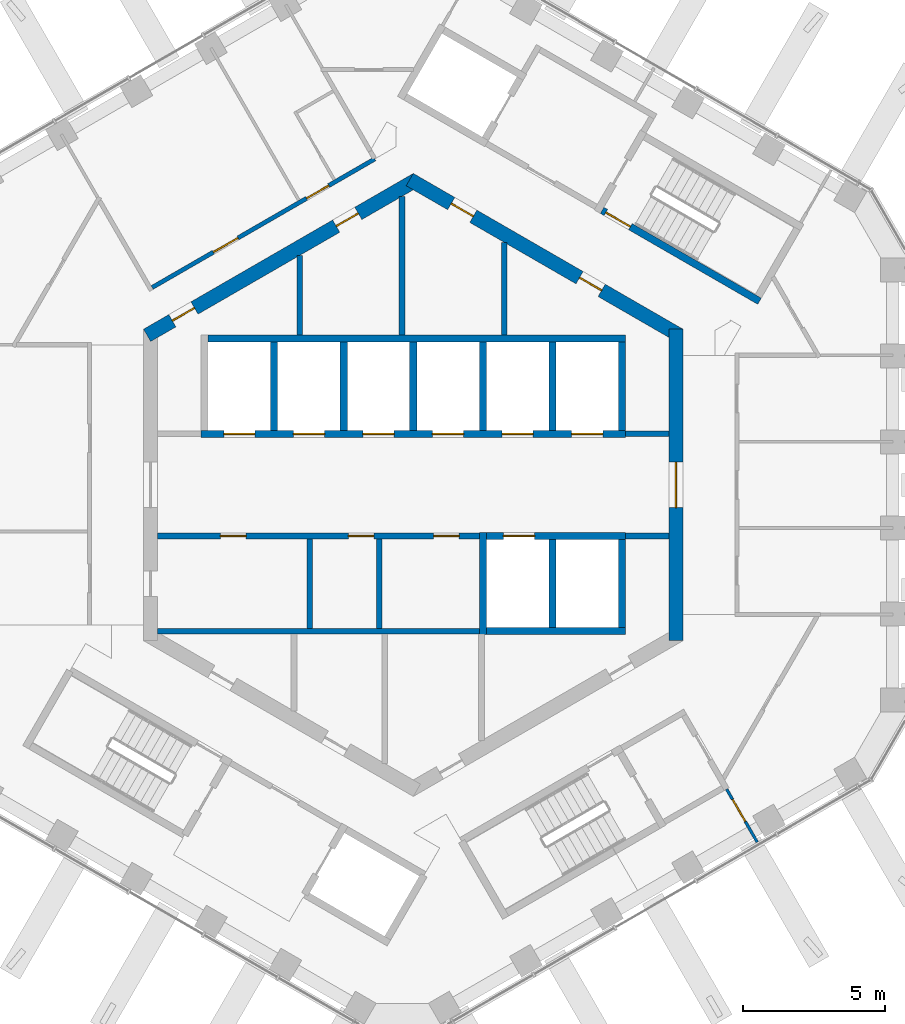
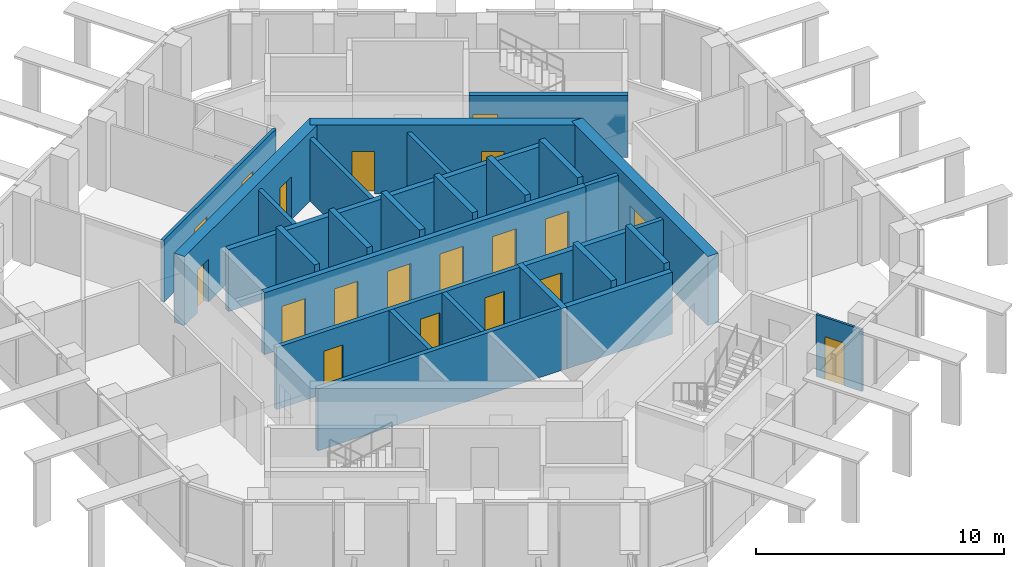
# One storey, part 12 of 18: 28 walls, 19 doors, 19 openings.
"""IFC4 building model written with IfcOpenShell, lengths in metres."""

from ifc_helpers import new_model, si_unit, direction, frame, frame_2d, origin, place, context, subcontext, project, spatial, rectangle, extrude, material, layer, layer_set, type_object, element, fill, save


model = new_model("IFC4")

# Units and contexts
model_context = context("Model", 3, precision=1e-05, world=origin(), true_north=direction((0.0, 1.0)))
body_context = subcontext(model_context, "Body", "Model", "MODEL_VIEW")
ifc_project = project(units=[si_unit("LENGTHUNIT", "METRE"), si_unit("AREAUNIT", "SQUARE_METRE"), si_unit("VOLUMEUNIT", "CUBIC_METRE"), si_unit("PLANEANGLEUNIT", "RADIAN"), si_unit("MASSUNIT", "GRAM", prefix="KILO")], contexts=[model_context])

# Site, building, storey
site_placement = place(None, origin())
site = spatial("IfcSite", under=ifc_project, at=site_placement, CompositionType="ELEMENT")
building_placement = place(site_placement, origin())
building = spatial("IfcBuilding", under=site, at=building_placement, Name="Ayvan Gate Tower", CompositionType="ELEMENT")
storey_placement = place(building_placement, frame((0.0, 0.0, 239.300048828125)))
storey = spatial("IfcBuildingStorey", under=building, at=storey_placement, Name="L64", CompositionType="ELEMENT", Elevation=239.300048828125)

# Wall, opening, door
ifc_material_1 = material(Name="Concrete C60/75", Category="concrete")
ifc_layer_1 = layer(ifc_material_1, 0.5)
ifc_layer_set_1 = layer_set([ifc_layer_1], Name="Concrete C60/75")
wall_type_1 = type_object("IfcWallType", Name="Core wall 500 C60/75", PredefinedType="SHEAR", material=ifc_layer_set_1)
wall_1_placement = place(storey_placement, frame((9.25, -5.48486328125, 0.0), z_axis=(0.0, 0.0, 1.0), x_axis=(0.0, 1.0, 0.0)))
wall_1 = element("IfcWall", 1, at=wall_1_placement, inside=storey, type_object=wall_type_1, Name="CORE-L64-0", PredefinedType="SHEAR", context=body_context, shape_type="SweptSolid", body=[
    extrude(rectangle(XDim=10.9697265625, YDim=0.5, at=frame_2d((5.48486328125, 0.0))), origin(), (0.0, 0.0, 1.0), 3.39990234375),
])
opening_1_placement = place(wall_1_placement, frame((4.684814453125, 0.0, 0.0)))
opening_1 = element("IfcOpeningElement", 2, at=opening_1_placement, cuts=wall_1, Name="Opening L64-D46", PredefinedType="OPENING", context=body_context, shape_type="SweptSolid", body=[
    extrude(rectangle(XDim=1.60009765625, YDim=2.10009765625, at=frame_2d((0.800048828125, 1.050048828125))), frame((0.0, 0.260009765625, 0.0), z_axis=(0.0, -1.0, 0.0), x_axis=(1.0, 0.0, 0.0)), (0.0, 0.0, 1.0), 0.52001953125),
])
ifc_material_2 = material(Name="Timber door leaf", Category="wood")
door_type_1 = type_object("IfcDoorType", Name="DT-1600", OperationType="NOTDEFINED", PredefinedType="DOOR", material=ifc_material_2)
door_1_placement = place(opening_1_placement, origin())
door_1 = element("IfcDoor", 3, at=door_1_placement, inside=storey, type_object=door_type_1, Name="CD-L64-46", OperationType="SINGLE_SWING_RIGHT", OverallHeight=2.10009765625, OverallWidth=1.60009765625, PredefinedType="DOOR", context=body_context, shape_type="SweptSolid", body=[
    extrude(rectangle(XDim=1.60009765625, YDim=2.10009765625, at=frame_2d((0.800048828125, 1.050048828125))), frame((0.0, 0.02490234375, 0.0), z_axis=(0.0, -1.0, 0.0), x_axis=(1.0, 0.0, 0.0)), (0.0, 0.0, 1.0), 0.050048828125),
])
fill(opening_1, door_1)

# Wall, openings, doors
wall_2_placement = place(storey_placement, frame((9.375, 5.268310546875, 0.0), z_axis=(0.0, 0.0, 1.0), x_axis=(-0.866023993627, 0.500002442456, 0.0)))
wall_2 = element("IfcWall", 4, at=wall_2_placement, inside=storey, type_object=wall_type_1, Name="CORE-L64-1", PredefinedType="SHEAR", context=body_context, shape_type="SweptSolid", body=[
    extrude(rectangle(XDim=10.9697265625, YDim=0.5, at=frame_2d((5.48486328125, 0.0))), origin(), (0.0, 0.0, 1.0), 3.39990234375),
])
opening_2_placement = place(wall_2_placement, frame((8.3828125, 0.0, 0.0)))
opening_2 = element("IfcOpeningElement", 5, at=opening_2_placement, cuts=wall_2, Name="Opening L64-D39", PredefinedType="OPENING", context=body_context, shape_type="SweptSolid", body=[
    extrude(rectangle(XDim=0.89990234375, YDim=2.10009765625, at=frame_2d((0.449951171875, 1.050048828125))), frame((0.0, 0.260009765625, 0.0), z_axis=(0.0, -1.0, 0.0), x_axis=(1.0, 0.0, 0.0)), (0.0, 0.0, 1.0), 0.52001953125),
])
opening_3_placement = place(wall_2_placement, frame((3.164794921875, 0.0, 0.0)))
opening_3 = element("IfcOpeningElement", 6, at=opening_3_placement, cuts=wall_2, Name="Opening L64-D40", PredefinedType="OPENING", context=body_context, shape_type="SweptSolid", body=[
    extrude(rectangle(XDim=0.89990234375, YDim=2.10009765625, at=frame_2d((0.449951171875, 1.050048828125))), frame((0.0, 0.260009765625, 0.0), z_axis=(0.0, -1.0, 0.0), x_axis=(1.0, 0.0, 0.0)), (0.0, 0.0, 1.0), 0.52001953125),
])
door_type_2 = type_object("IfcDoorType", Name="DT-900", OperationType="NOTDEFINED", PredefinedType="DOOR", material=ifc_material_2)
door_2_placement = place(opening_2_placement, origin())
door_2 = element("IfcDoor", 7, at=door_2_placement, inside=storey, type_object=door_type_2, Name="CD-L64-39", OperationType="SINGLE_SWING_LEFT", OverallHeight=2.10009765625, OverallWidth=0.89990234375, PredefinedType="DOOR", context=body_context, shape_type="SweptSolid", body=[
    extrude(rectangle(XDim=0.89990234375, YDim=2.10009765625, at=frame_2d((0.449951171875, 1.050048828125))), frame((0.0, 0.02490234375, 0.0), z_axis=(0.0, -1.0, 0.0), x_axis=(1.0, 0.0, 0.0)), (0.0, 0.0, 1.0), 0.050048828125),
])
fill(opening_2, door_2)
door_3_placement = place(opening_3_placement, origin())
door_3 = element("IfcDoor", 8, at=door_3_placement, inside=storey, type_object=door_type_2, Name="CD-L64-40", OperationType="SINGLE_SWING_RIGHT", OverallHeight=2.10009765625, OverallWidth=0.89990234375, PredefinedType="DOOR", context=body_context, shape_type="SweptSolid", body=[
    extrude(rectangle(XDim=0.89990234375, YDim=2.10009765625, at=frame_2d((0.449951171875, 1.050048828125))), frame((0.0, 0.02490234375, 0.0), z_axis=(0.0, -1.0, 0.0), x_axis=(1.0, 0.0, 0.0)), (0.0, 0.0, 1.0), 0.050048828125),
])
fill(opening_3, door_3)

wall_3_placement = place(storey_placement, frame((0.125, 10.753173828125, 0.0), z_axis=(0.0, 0.0, 1.0), x_axis=(-0.866023993627, -0.500002442456, 0.0)))
wall_3 = element("IfcWall", 9, at=wall_3_placement, inside=storey, type_object=wall_type_1, Name="CORE-L64-2", PredefinedType="SHEAR", context=body_context, shape_type="SweptSolid", body=[
    extrude(rectangle(XDim=10.9697265625, YDim=0.5, at=frame_2d((5.48486328125, 0.0))), origin(), (0.0, 0.0, 1.0), 3.39990234375),
])
opening_4_placement = place(wall_3_placement, frame((9.042724609375, 0.0, 0.0)))
opening_4 = element("IfcOpeningElement", 10, at=opening_4_placement, cuts=wall_3, Name="Opening L64-D37", PredefinedType="OPENING", context=body_context, shape_type="SweptSolid", body=[
    extrude(rectangle(XDim=0.89990234375, YDim=2.10009765625, at=frame_2d((0.449951171875, 1.050048828125))), frame((0.0, 0.260009765625, 0.0), z_axis=(0.0, -1.0, 0.0), x_axis=(1.0, 0.0, 0.0)), (0.0, 0.0, 1.0), 0.52001953125),
])
opening_5_placement = place(wall_3_placement, frame((2.379638671875, 0.0, 0.0)))
opening_5 = element("IfcOpeningElement", 11, at=opening_5_placement, cuts=wall_3, Name="Opening L64-D38", PredefinedType="OPENING", context=body_context, shape_type="SweptSolid", body=[
    extrude(rectangle(XDim=0.89990234375, YDim=2.10009765625, at=frame_2d((0.449951171875, 1.050048828125))), frame((0.0, 0.260009765625, 0.0), z_axis=(0.0, -1.0, 0.0), x_axis=(1.0, 0.0, 0.0)), (0.0, 0.0, 1.0), 0.52001953125),
])
door_4_placement = place(opening_4_placement, origin())
door_4 = element("IfcDoor", 12, at=door_4_placement, inside=storey, type_object=door_type_2, Name="CD-L64-37", OperationType="SINGLE_SWING_LEFT", OverallHeight=2.10009765625, OverallWidth=0.89990234375, PredefinedType="DOOR", context=body_context, shape_type="SweptSolid", body=[
    extrude(rectangle(XDim=0.89990234375, YDim=2.10009765625, at=frame_2d((0.449951171875, 1.050048828125))), frame((0.0, 0.02490234375, 0.0), z_axis=(0.0, -1.0, 0.0), x_axis=(1.0, 0.0, 0.0)), (0.0, 0.0, 1.0), 0.050048828125),
])
fill(opening_4, door_4)
door_5_placement = place(opening_5_placement, origin())
door_5 = element("IfcDoor", 13, at=door_5_placement, inside=storey, type_object=door_type_2, Name="CD-L64-38", OperationType="SINGLE_SWING_RIGHT", OverallHeight=2.10009765625, OverallWidth=0.89990234375, PredefinedType="DOOR", context=body_context, shape_type="SweptSolid", body=[
    extrude(rectangle(XDim=0.89990234375, YDim=2.10009765625, at=frame_2d((0.449951171875, 1.050048828125))), frame((0.0, 0.02490234375, 0.0), z_axis=(0.0, -1.0, 0.0), x_axis=(1.0, 0.0, 0.0)), (0.0, 0.0, 1.0), 0.050048828125),
])
fill(opening_5, door_5)

ifc_material_3 = material(Name="Plasterboard on steel stud", Category="steel")
ifc_layer_2 = layer(ifc_material_3, 0.14990234375)
ifc_layer_set_2 = layer_set([ifc_layer_2], Name="Plasterboard on steel stud")
wall_type_2 = type_object("IfcWallType", Name="WT-CORR-150", PredefinedType="PARTITIONING", material=ifc_layer_set_2)
wall_4_placement = place(storey_placement, frame((-9.197509765625, 6.95263671875, 0.0), z_axis=(0.0, 0.0, 1.0), x_axis=(0.866018971722, 0.500011140494, 0.0)))
wall_4 = element("IfcWall", 14, at=wall_4_placement, inside=storey, type_object=wall_type_2, Name="IW-L64-009", PredefinedType="PARTITIONING", context=body_context, shape_type="SweptSolid", body=[
    extrude(rectangle(XDim=9.052978515625, YDim=0.14990234375, at=frame_2d((4.5263671875, 0.0))), origin(), (0.0, 0.0, 1.0), 3.050048828125),
])
opening_6_placement = place(wall_4_placement, frame((6.28173828125, 0.0, 0.0)))
opening_6 = element("IfcOpeningElement", 15, at=opening_6_placement, cuts=wall_4, Name="Opening L64-D34", PredefinedType="OPENING", context=body_context, shape_type="SweptSolid", body=[
    extrude(rectangle(XDim=0.89990234375, YDim=2.10009765625, at=frame_2d((0.449951171875, 1.050048828125))), frame((0.0, 0.0849609375, 0.0), z_axis=(0.0, -1.0, 0.0), x_axis=(1.0, 0.0, 0.0)), (0.0, 0.0, 1.0), 0.169921875),
])
opening_7_placement = place(wall_4_placement, frame((2.490234375, 0.0, 0.0)))
opening_7 = element("IfcOpeningElement", 16, at=opening_7_placement, cuts=wall_4, Name="Opening L64-D36", PredefinedType="OPENING", context=body_context, shape_type="SweptSolid", body=[
    extrude(rectangle(XDim=1.0, YDim=2.10009765625, at=frame_2d((0.5, 1.050048828125))), frame((0.0, 0.0849609375, 0.0), z_axis=(0.0, -1.0, 0.0), x_axis=(1.0, 0.0, 0.0)), (0.0, 0.0, 1.0), 0.169921875),
])
door_type_3 = type_object("IfcDoorType", Name="DT-1000", OperationType="NOTDEFINED", PredefinedType="DOOR", material=ifc_material_2)
door_6_placement = place(opening_7_placement, origin())
door_6 = element("IfcDoor", 17, at=door_6_placement, inside=storey, type_object=door_type_3, Name="ID-L64-036", OperationType="SINGLE_SWING_RIGHT", OverallHeight=2.10009765625, OverallWidth=1.0, PredefinedType="DOOR", context=body_context, shape_type="SweptSolid", body=[
    extrude(rectangle(XDim=1.0, YDim=2.10009765625, at=frame_2d((0.5, 1.050048828125))), frame((0.0, 0.02490234375, 0.0), z_axis=(0.0, -1.0, 0.0), x_axis=(1.0, 0.0, 0.0)), (0.0, 0.0, 1.0), 0.050048828125),
])
fill(opening_7, door_6)
door_7_placement = place(opening_6_placement, origin())
door_7 = element("IfcDoor", 18, at=door_7_placement, inside=storey, type_object=door_type_2, Name="ID-L64-034", OperationType="SINGLE_SWING_RIGHT", OverallHeight=2.10009765625, OverallWidth=0.89990234375, PredefinedType="DOOR", context=body_context, shape_type="SweptSolid", body=[
    extrude(rectangle(XDim=0.89990234375, YDim=2.10009765625, at=frame_2d((0.449951171875, 1.050048828125))), frame((0.0, 0.02490234375, 0.0), z_axis=(0.0, -1.0, 0.0), x_axis=(1.0, 0.0, 0.0)), (0.0, 0.0, 1.0), 0.050048828125),
])
fill(opening_6, door_7)

# Wall, opening, door
ifc_layer_3 = layer(ifc_material_3, 0.10009765625)
ifc_layer_set_3 = layer_set([ifc_layer_3], Name="Plasterboard on steel stud")
wall_type_3 = type_object("IfcWallType", Name="WT-PART-100", PredefinedType="PARTITIONING", material=ifc_layer_set_3)
wall_5_placement = place(storey_placement, frame((12.113525390625, -12.581298828125, 0.0), z_axis=(0.0, 0.0, 1.0), x_axis=(-0.499944992379, 0.86605716012, 0.0)))
wall_5 = element("IfcWall", 19, at=wall_5_placement, inside=storey, type_object=wall_type_3, Name="IW-L64-075", PredefinedType="PARTITIONING", context=body_context, shape_type="SweptSolid", body=[
    extrude(rectangle(XDim=2.152587890625, YDim=0.10009765625, at=frame_2d((1.076171875, 0.0))), origin(), (0.0, 0.0, 1.0), 3.050048828125),
])
opening_8_placement = place(wall_5_placement, frame((0.8369140625, 0.0, 0.0)))
opening_8 = element("IfcOpeningElement", 20, at=opening_8_placement, cuts=wall_5, Name="Opening L64-D33", PredefinedType="OPENING", context=body_context, shape_type="SweptSolid", body=[
    extrude(rectangle(XDim=0.89990234375, YDim=2.10009765625, at=frame_2d((0.449951171875, 1.050048828125))), frame((0.0, 0.06005859375, 0.0), z_axis=(0.0, -1.0, 0.0), x_axis=(1.0, 0.0, 0.0)), (0.0, 0.0, 1.0), 0.1201171875),
])
door_8_placement = place(opening_8_placement, origin())
door_8 = element("IfcDoor", 21, at=door_8_placement, inside=storey, type_object=door_type_2, Name="ID-L64-033", OperationType="SINGLE_SWING_LEFT", OverallHeight=2.10009765625, OverallWidth=0.89990234375, PredefinedType="DOOR", context=body_context, shape_type="SweptSolid", body=[
    extrude(rectangle(XDim=0.89990234375, YDim=2.10009765625, at=frame_2d((0.449951171875, 1.050048828125))), frame((0.0, 0.02490234375, 0.0), z_axis=(0.0, -1.0, 0.0), x_axis=(1.0, 0.0, 0.0)), (0.0, 0.0, 1.0), 0.050048828125),
])
fill(opening_8, door_8)

# Walls
ifc_layer_4 = layer(ifc_material_3, 0.199951171875)
ifc_layer_set_4 = layer_set([ifc_layer_4], Name="Plasterboard on steel stud")
wall_type_4 = type_object("IfcWallType", Name="WT-RATED-200", PredefinedType="PARTITIONING", material=ifc_layer_set_4)
wall_6_placement = place(storey_placement, frame((-9.0, -5.14990234375, 0.0), z_axis=(0.0, 0.0, 1.0), x_axis=(1.0, 0.0, 0.0)))
element("IfcWall", 22, at=wall_6_placement, inside=storey, type_object=wall_type_4, Name="IW-L64-011", PredefinedType="PARTITIONING", context=body_context, shape_type="SweptSolid", body=[
    extrude(rectangle(XDim=11.3251953125, YDim=0.199951171875, at=frame_2d((5.66259765625, 0.0))), origin(), (0.0, 0.0, 1.0), 3.050048828125),
])
wall_7_placement = place(storey_placement, frame((-4.0, 8.0830078125, 0.0), z_axis=(0.0, 0.0, 1.0), x_axis=(0.0, -1.0, 0.0)))
element("IfcWall", 23, at=wall_7_placement, inside=storey, type_object=wall_type_4, Name="IW-L64-021", PredefinedType="PARTITIONING", context=body_context, shape_type="SweptSolid", body=[
    extrude(rectangle(XDim=2.80810546875, YDim=0.199951171875, at=frame_2d((1.404052734375, 0.0))), origin(), (0.0, 0.0, 1.0), 3.050048828125),
])
wall_8_placement = place(storey_placement, frame((-3.64990234375, -1.89990234375, 0.0), z_axis=(0.0, 0.0, 1.0), x_axis=(0.0, -1.0, 0.0)))
element("IfcWall", 24, at=wall_8_placement, inside=storey, type_object=wall_type_4, Name="IW-L64-023", PredefinedType="PARTITIONING", context=body_context, shape_type="SweptSolid", body=[
    extrude(rectangle(XDim=3.150146484375, YDim=0.199951171875, at=frame_2d((1.5751953125, 0.0))), origin(), (0.0, 0.0, 1.0), 3.050048828125),
])

# Wall, openings, doors
wall_9_placement = place(storey_placement, frame((-9.0, -1.800048828125, 0.0), z_axis=(0.0, 0.0, 1.0), x_axis=(1.0, 0.0, 0.0)))
wall_9 = element("IfcWall", 25, at=wall_9_placement, inside=storey, type_object=wall_type_4, Name="IW-L64-024", PredefinedType="PARTITIONING", context=body_context, shape_type="SweptSolid", body=[
    extrude(rectangle(XDim=11.3251953125, YDim=0.199951171875, at=frame_2d((5.66259765625, 0.0))), origin(), (0.0, 0.0, 1.0), 3.050048828125),
])
opening_9_placement = place(wall_9_placement, frame((2.2099609375, 0.0, 0.0)))
opening_9 = element("IfcOpeningElement", 26, at=opening_9_placement, cuts=wall_9, Name="Opening L64-D08", PredefinedType="OPENING", context=body_context, shape_type="SweptSolid", body=[
    extrude(rectangle(XDim=0.89990234375, YDim=2.10009765625, at=frame_2d((0.449951171875, 1.050048828125))), frame((0.0, 0.10986328125, 0.0), z_axis=(0.0, -1.0, 0.0), x_axis=(1.0, 0.0, 0.0)), (0.0, 0.0, 1.0), 0.219970703125),
])
opening_10_placement = place(wall_9_placement, frame((6.7099609375, 0.0, 0.0)))
opening_10 = element("IfcOpeningElement", 27, at=opening_10_placement, cuts=wall_9, Name="Opening L64-D09", PredefinedType="OPENING", context=body_context, shape_type="SweptSolid", body=[
    extrude(rectangle(XDim=0.89990234375, YDim=2.10009765625, at=frame_2d((0.449951171875, 1.050048828125))), frame((0.0, 0.10986328125, 0.0), z_axis=(0.0, -1.0, 0.0), x_axis=(1.0, 0.0, 0.0)), (0.0, 0.0, 1.0), 0.219970703125),
])
opening_11_placement = place(wall_9_placement, frame((9.712646484375, 0.0, 0.0)))
opening_11 = element("IfcOpeningElement", 28, at=opening_11_placement, cuts=wall_9, Name="Opening L64-D10", PredefinedType="OPENING", context=body_context, shape_type="SweptSolid", body=[
    extrude(rectangle(XDim=0.89990234375, YDim=2.10009765625, at=frame_2d((0.449951171875, 1.050048828125))), frame((0.0, 0.10986328125, 0.0), z_axis=(0.0, -1.0, 0.0), x_axis=(1.0, 0.0, 0.0)), (0.0, 0.0, 1.0), 0.219970703125),
])
door_9_placement = place(opening_9_placement, origin())
door_9 = element("IfcDoor", 29, at=door_9_placement, inside=storey, type_object=door_type_2, Name="ID-L64-008", OperationType="SINGLE_SWING_RIGHT", OverallHeight=2.10009765625, OverallWidth=0.89990234375, PredefinedType="DOOR", context=body_context, shape_type="SweptSolid", body=[
    extrude(rectangle(XDim=0.89990234375, YDim=2.10009765625, at=frame_2d((0.449951171875, 1.050048828125))), frame((0.0, 0.02490234375, 0.0), z_axis=(0.0, -1.0, 0.0), x_axis=(1.0, 0.0, 0.0)), (0.0, 0.0, 1.0), 0.050048828125),
])
fill(opening_9, door_9)
door_10_placement = place(opening_10_placement, origin())
door_10 = element("IfcDoor", 30, at=door_10_placement, inside=storey, type_object=door_type_2, Name="ID-L64-009", OperationType="SINGLE_SWING_LEFT", OverallHeight=2.10009765625, OverallWidth=0.89990234375, PredefinedType="DOOR", context=body_context, shape_type="SweptSolid", body=[
    extrude(rectangle(XDim=0.89990234375, YDim=2.10009765625, at=frame_2d((0.449951171875, 1.050048828125))), frame((0.0, 0.02490234375, 0.0), z_axis=(0.0, -1.0, 0.0), x_axis=(1.0, 0.0, 0.0)), (0.0, 0.0, 1.0), 0.050048828125),
])
fill(opening_10, door_10)
door_11_placement = place(opening_11_placement, origin())
door_11 = element("IfcDoor", 31, at=door_11_placement, inside=storey, type_object=door_type_2, Name="ID-L64-010", OperationType="SINGLE_SWING_RIGHT", OverallHeight=2.10009765625, OverallWidth=0.89990234375, PredefinedType="DOOR", context=body_context, shape_type="SweptSolid", body=[
    extrude(rectangle(XDim=0.89990234375, YDim=2.10009765625, at=frame_2d((0.449951171875, 1.050048828125))), frame((0.0, 0.02490234375, 0.0), z_axis=(0.0, -1.0, 0.0), x_axis=(1.0, 0.0, 0.0)), (0.0, 0.0, 1.0), 0.050048828125),
])
fill(opening_11, door_11)

# Walls
wall_10_placement = place(storey_placement, frame((-1.199951171875, -1.89990234375, 0.0), z_axis=(0.0, 0.0, 1.0), x_axis=(0.0, -1.0, 0.0)))
element("IfcWall", 32, at=wall_10_placement, inside=storey, type_object=wall_type_4, Name="IW-L64-033", PredefinedType="PARTITIONING", context=body_context, shape_type="SweptSolid", body=[
    extrude(rectangle(XDim=3.150146484375, YDim=0.199951171875, at=frame_2d((1.5751953125, 0.0))), origin(), (0.0, 0.0, 1.0), 3.050048828125),
])
wall_11_placement = place(storey_placement, frame((-0.39990234375, 10.161376953125, 0.0), z_axis=(0.0, 0.0, 1.0), x_axis=(0.0, -1.0, 0.0)))
element("IfcWall", 33, at=wall_11_placement, inside=storey, type_object=wall_type_4, Name="IW-L64-036", PredefinedType="PARTITIONING", context=body_context, shape_type="SweptSolid", body=[
    extrude(rectangle(XDim=4.886474609375, YDim=0.199951171875, at=frame_2d((2.443359375, 0.0))), origin(), (0.0, 0.0, 1.0), 3.050048828125),
])
wall_12_placement = place(storey_placement, frame((3.199951171875, 8.544921875, 0.0), z_axis=(0.0, 0.0, 1.0), x_axis=(0.0, -1.0, 0.0)))
element("IfcWall", 34, at=wall_12_placement, inside=storey, type_object=wall_type_4, Name="IW-L64-049", PredefinedType="PARTITIONING", context=body_context, shape_type="SweptSolid", body=[
    extrude(rectangle(XDim=3.27001953125, YDim=0.199951171875, at=frame_2d((1.635009765625, 0.0))), origin(), (0.0, 0.0, 1.0), 3.050048828125),
])
for number, where, z_axis, x_axis, name in (
    (35, (7.474853515625, 1.800048828125, 0.0), (0.0, 0.0, 1.0), (1.0, 0.0, 0.0), "IW-L64-061"),
    (36, (9.0, -1.800048828125, 0.0), (0.0, 0.0, 1.0), (-1.0, 0.0, 0.0), "IW-L64-068"),
):
    element("IfcWall", number, at=place(storey_placement, frame(where, z_axis=z_axis, x_axis=x_axis)), inside=storey, type_object=wall_type_4, Name=name, PredefinedType="PARTITIONING", context=body_context, shape_type="SweptSolid", body=[
        extrude(rectangle(XDim=1.525146484375, YDim=0.199951171875, at=frame_2d((0.7626953125, 0.0))), origin(), (0.0, 0.0, 1.0), 3.050048828125),
    ])

# Wall, openings, doors
ifc_material_4 = material(Name="Concrete C50/60", Category="concrete")
ifc_layer_5 = layer(ifc_material_4, 0.25)
ifc_layer_set_5 = layer_set([ifc_layer_5], Name="Concrete C50/60")
wall_type_5 = type_object("IfcWallType", Name="WT-RC-250", PredefinedType="SHEAR", material=ifc_layer_set_5)
wall_13_placement = place(storey_placement, frame((-7.47509765625, 1.800048828125, 0.0), z_axis=(0.0, 0.0, 1.0), x_axis=(1.0, 0.0, 0.0)))
wall_13 = element("IfcWall", 37, at=wall_13_placement, inside=storey, type_object=wall_type_5, Name="IW-L64-013", PredefinedType="SHEAR", context=body_context, shape_type="SweptSolid", body=[
    extrude(rectangle(XDim=14.9501953125, YDim=0.25, at=frame_2d((7.47509765625, 0.0))), origin(), (0.0, 0.0, 1.0), 3.050048828125),
])
opening_12_placement = place(wall_13_placement, frame((0.800048828125, 0.0, 0.0)))
opening_12 = element("IfcOpeningElement", 38, at=opening_12_placement, cuts=wall_13, Name="Opening L64-LD-HR1", PredefinedType="OPENING", context=body_context, shape_type="SweptSolid", body=[
    extrude(rectangle(XDim=1.10009765625, YDim=2.10009765625, at=frame_2d((0.550048828125, 1.050048828125))), frame((0.0, 0.135009765625, 0.0), z_axis=(0.0, -1.0, 0.0), x_axis=(1.0, 0.0, 0.0)), (0.0, 0.0, 1.0), 0.27001953125),
])
opening_13_placement = place(wall_13_placement, frame((3.25, 0.0, 0.0)))
opening_13 = element("IfcOpeningElement", 39, at=opening_13_placement, cuts=wall_13, Name="Opening L64-LD-HR2", PredefinedType="OPENING", context=body_context, shape_type="SweptSolid", body=[
    extrude(rectangle(XDim=1.10009765625, YDim=2.10009765625, at=frame_2d((0.550048828125, 1.050048828125))), frame((0.0, 0.135009765625, 0.0), z_axis=(0.0, -1.0, 0.0), x_axis=(1.0, 0.0, 0.0)), (0.0, 0.0, 1.0), 0.27001953125),
])
opening_14_placement = place(wall_13_placement, frame((5.7001953125, 0.0, 0.0)))
opening_14 = element("IfcOpeningElement", 40, at=opening_14_placement, cuts=wall_13, Name="Opening L64-LD-HR3", PredefinedType="OPENING", context=body_context, shape_type="SweptSolid", body=[
    extrude(rectangle(XDim=1.10009765625, YDim=2.10009765625, at=frame_2d((0.550048828125, 1.050048828125))), frame((0.0, 0.135009765625, 0.0), z_axis=(0.0, -1.0, 0.0), x_axis=(1.0, 0.0, 0.0)), (0.0, 0.0, 1.0), 0.27001953125),
])
opening_15_placement = place(wall_13_placement, frame((8.150146484375, 0.0, 0.0)))
opening_15 = element("IfcOpeningElement", 41, at=opening_15_placement, cuts=wall_13, Name="Opening L64-LD-HR4", PredefinedType="OPENING", context=body_context, shape_type="SweptSolid", body=[
    extrude(rectangle(XDim=1.10009765625, YDim=2.10009765625, at=frame_2d((0.550048828125, 1.050048828125))), frame((0.0, 0.135009765625, 0.0), z_axis=(0.0, -1.0, 0.0), x_axis=(1.0, 0.0, 0.0)), (0.0, 0.0, 1.0), 0.27001953125),
])
opening_16_placement = place(wall_13_placement, frame((10.60009765625, 0.0, 0.0)))
opening_16 = element("IfcOpeningElement", 42, at=opening_16_placement, cuts=wall_13, Name="Opening L64-LD-HR5", PredefinedType="OPENING", context=body_context, shape_type="SweptSolid", body=[
    extrude(rectangle(XDim=1.10009765625, YDim=2.10009765625, at=frame_2d((0.550048828125, 1.050048828125))), frame((0.0, 0.135009765625, 0.0), z_axis=(0.0, -1.0, 0.0), x_axis=(1.0, 0.0, 0.0)), (0.0, 0.0, 1.0), 0.27001953125),
])
opening_17_placement = place(wall_13_placement, frame((13.050048828125, 0.0, 0.0)))
opening_17 = element("IfcOpeningElement", 43, at=opening_17_placement, cuts=wall_13, Name="Opening L64-LD-HR6", PredefinedType="OPENING", context=body_context, shape_type="SweptSolid", body=[
    extrude(rectangle(XDim=1.10009765625, YDim=2.10009765625, at=frame_2d((0.550048828125, 1.050048828125))), frame((0.0, 0.135009765625, 0.0), z_axis=(0.0, -1.0, 0.0), x_axis=(1.0, 0.0, 0.0)), (0.0, 0.0, 1.0), 0.27001953125),
])
ifc_material_5 = material(Name="Stainless steel landing door", Category="steel")
door_type_4 = type_object("IfcDoorType", Name="DT-LANDING-1100", OperationType="SLIDING_TO_LEFT", PredefinedType="DOOR", material=ifc_material_5)
door_12_placement = place(opening_12_placement, origin())
door_12 = element("IfcDoor", 44, at=door_12_placement, inside=storey, type_object=door_type_4, Name="ID-L64-001", OperationType="SLIDING_TO_LEFT", OverallHeight=2.10009765625, OverallWidth=1.10009765625, PredefinedType="DOOR", context=body_context, shape_type="SweptSolid", body=[
    extrude(rectangle(XDim=1.10009765625, YDim=2.10009765625, at=frame_2d((0.550048828125, 1.050048828125))), frame((0.0, 0.02490234375, 0.0), z_axis=(0.0, -1.0, 0.0), x_axis=(1.0, 0.0, 0.0)), (0.0, 0.0, 1.0), 0.050048828125),
])
fill(opening_12, door_12)
door_13_placement = place(opening_13_placement, origin())
door_13 = element("IfcDoor", 45, at=door_13_placement, inside=storey, type_object=door_type_4, Name="ID-L64-002", OperationType="SLIDING_TO_LEFT", OverallHeight=2.10009765625, OverallWidth=1.10009765625, PredefinedType="DOOR", context=body_context, shape_type="SweptSolid", body=[
    extrude(rectangle(XDim=1.10009765625, YDim=2.10009765625, at=frame_2d((0.550048828125, 1.050048828125))), frame((0.0, 0.02490234375, 0.0), z_axis=(0.0, -1.0, 0.0), x_axis=(1.0, 0.0, 0.0)), (0.0, 0.0, 1.0), 0.050048828125),
])
fill(opening_13, door_13)
door_14_placement = place(opening_14_placement, origin())
door_14 = element("IfcDoor", 46, at=door_14_placement, inside=storey, type_object=door_type_4, Name="ID-L64-003", OperationType="SLIDING_TO_LEFT", OverallHeight=2.10009765625, OverallWidth=1.10009765625, PredefinedType="DOOR", context=body_context, shape_type="SweptSolid", body=[
    extrude(rectangle(XDim=1.10009765625, YDim=2.10009765625, at=frame_2d((0.550048828125, 1.050048828125))), frame((0.0, 0.02490234375, 0.0), z_axis=(0.0, -1.0, 0.0), x_axis=(1.0, 0.0, 0.0)), (0.0, 0.0, 1.0), 0.050048828125),
])
fill(opening_14, door_14)
door_15_placement = place(opening_15_placement, origin())
door_15 = element("IfcDoor", 47, at=door_15_placement, inside=storey, type_object=door_type_4, Name="ID-L64-004", OperationType="SLIDING_TO_LEFT", OverallHeight=2.10009765625, OverallWidth=1.10009765625, PredefinedType="DOOR", context=body_context, shape_type="SweptSolid", body=[
    extrude(rectangle(XDim=1.10009765625, YDim=2.10009765625, at=frame_2d((0.550048828125, 1.050048828125))), frame((0.0, 0.02490234375, 0.0), z_axis=(0.0, -1.0, 0.0), x_axis=(1.0, 0.0, 0.0)), (0.0, 0.0, 1.0), 0.050048828125),
])
fill(opening_15, door_15)
door_16_placement = place(opening_16_placement, origin())
door_16 = element("IfcDoor", 48, at=door_16_placement, inside=storey, type_object=door_type_4, Name="ID-L64-005", OperationType="SLIDING_TO_LEFT", OverallHeight=2.10009765625, OverallWidth=1.10009765625, PredefinedType="DOOR", context=body_context, shape_type="SweptSolid", body=[
    extrude(rectangle(XDim=1.10009765625, YDim=2.10009765625, at=frame_2d((0.550048828125, 1.050048828125))), frame((0.0, 0.02490234375, 0.0), z_axis=(0.0, -1.0, 0.0), x_axis=(1.0, 0.0, 0.0)), (0.0, 0.0, 1.0), 0.050048828125),
])
fill(opening_16, door_16)
door_17_placement = place(opening_17_placement, origin())
door_17 = element("IfcDoor", 49, at=door_17_placement, inside=storey, type_object=door_type_4, Name="ID-L64-006", OperationType="SLIDING_TO_LEFT", OverallHeight=2.10009765625, OverallWidth=1.10009765625, PredefinedType="DOOR", context=body_context, shape_type="SweptSolid", body=[
    extrude(rectangle(XDim=1.10009765625, YDim=2.10009765625, at=frame_2d((0.550048828125, 1.050048828125))), frame((0.0, 0.02490234375, 0.0), z_axis=(0.0, -1.0, 0.0), x_axis=(1.0, 0.0, 0.0)), (0.0, 0.0, 1.0), 0.050048828125),
])
fill(opening_17, door_17)

# Walls
wall_14_placement = place(storey_placement, frame((-7.22509765625, 5.14990234375, 0.0), z_axis=(0.0, 0.0, 1.0), x_axis=(1.0, 0.0, 0.0)))
element("IfcWall", 50, at=wall_14_placement, inside=storey, type_object=wall_type_5, Name="IW-L64-015", PredefinedType="SHEAR", context=body_context, shape_type="SweptSolid", body=[
    extrude(rectangle(XDim=14.7001953125, YDim=0.25, at=frame_2d((7.35009765625, 0.0))), origin(), (0.0, 0.0, 1.0), 3.050048828125),
])
for number, where, z_axis, x_axis, name in (
    (51, (-4.89990234375, 5.02490234375, 0.0), (0.0, 0.0, 1.0), (0.0, -1.0, 0.0), "IW-L64-018"),
    (52, (-2.449951171875, 5.02490234375, 0.0), (0.0, 0.0, 1.0), (0.0, -1.0, 0.0), "IW-L64-031"),
    (53, (0.0, 5.02490234375, 0.0), (0.0, 0.0, 1.0), (0.0, -1.0, 0.0), "IW-L64-038"),
):
    element("IfcWall", number, at=place(storey_placement, frame(where, z_axis=z_axis, x_axis=x_axis)), inside=storey, type_object=wall_type_5, Name=name, PredefinedType="SHEAR", context=body_context, shape_type="SweptSolid", body=[
        extrude(rectangle(XDim=3.099853515625, YDim=0.25, at=frame_2d((1.5498046875, 0.0))), origin(), (0.0, 0.0, 1.0), 3.39990234375),
    ])
wall_15_placement = place(storey_placement, frame((2.449951171875, -5.27490234375, 0.0), z_axis=(0.0, 0.0, 1.0), x_axis=(0.0, 1.0, 0.0)))
element("IfcWall", 54, at=wall_15_placement, inside=storey, type_object=wall_type_5, Name="IW-L64-044", PredefinedType="SHEAR", context=body_context, shape_type="SweptSolid", body=[
    extrude(rectangle(XDim=3.599853515625, YDim=0.25, at=frame_2d((1.7998046875, 0.0))), origin(), (0.0, 0.0, 1.0), 3.050048828125),
])
wall_16_placement = place(storey_placement, frame((2.449951171875, 5.02490234375, 0.0), z_axis=(0.0, 0.0, 1.0), x_axis=(0.0, -1.0, 0.0)))
element("IfcWall", 55, at=wall_16_placement, inside=storey, type_object=wall_type_5, Name="IW-L64-045", PredefinedType="SHEAR", context=body_context, shape_type="SweptSolid", body=[
    extrude(rectangle(XDim=3.099853515625, YDim=0.25, at=frame_2d((1.5498046875, 0.0))), origin(), (0.0, 0.0, 1.0), 3.39990234375),
])
wall_17_placement = place(storey_placement, frame((2.574951171875, -5.14990234375, 0.0), z_axis=(0.0, 0.0, 1.0), x_axis=(1.0, 0.0, 0.0)))
element("IfcWall", 56, at=wall_17_placement, inside=storey, type_object=wall_type_5, Name="IW-L64-052", PredefinedType="SHEAR", context=body_context, shape_type="SweptSolid", body=[
    extrude(rectangle(XDim=4.900146484375, YDim=0.25, at=frame_2d((2.4501953125, 0.0))), origin(), (0.0, 0.0, 1.0), 3.050048828125),
])
for number, where, z_axis, x_axis, name in (
    (57, (4.89990234375, -1.925048828125, 0.0), (0.0, 0.0, 1.0), (0.0, -1.0, 0.0), "IW-L64-053"),
    (58, (4.89990234375, 5.02490234375, 0.0), (0.0, 0.0, 1.0), (0.0, -1.0, 0.0), "IW-L64-054"),
):
    element("IfcWall", number, at=place(storey_placement, frame(where, z_axis=z_axis, x_axis=x_axis)), inside=storey, type_object=wall_type_5, Name=name, PredefinedType="SHEAR", context=body_context, shape_type="SweptSolid", body=[
        extrude(rectangle(XDim=3.099853515625, YDim=0.25, at=frame_2d((1.5498046875, 0.0))), origin(), (0.0, 0.0, 1.0), 3.39990234375),
    ])

# Wall, opening, door
wall_18_placement = place(storey_placement, frame((2.574951171875, -1.800048828125, 0.0), z_axis=(0.0, 0.0, 1.0), x_axis=(1.0, 0.0, 0.0)))
wall_18 = element("IfcWall", 59, at=wall_18_placement, inside=storey, type_object=wall_type_5, Name="IW-L64-055", PredefinedType="SHEAR", context=body_context, shape_type="SweptSolid", body=[
    extrude(rectangle(XDim=4.900146484375, YDim=0.25, at=frame_2d((2.4501953125, 0.0))), origin(), (0.0, 0.0, 1.0), 3.050048828125),
])
opening_18_placement = place(wall_18_placement, frame((0.597412109375, 0.0, 0.0)))
opening_18 = element("IfcOpeningElement", 60, at=opening_18_placement, cuts=wall_18, Name="Opening L64-LD-SV", PredefinedType="OPENING", context=body_context, shape_type="SweptSolid", body=[
    extrude(rectangle(XDim=1.10009765625, YDim=2.10009765625, at=frame_2d((0.550048828125, 1.050048828125))), frame((0.0, 0.135009765625, 0.0), z_axis=(0.0, -1.0, 0.0), x_axis=(1.0, 0.0, 0.0)), (0.0, 0.0, 1.0), 0.27001953125),
])
door_18_placement = place(opening_18_placement, origin())
door_18 = element("IfcDoor", 61, at=door_18_placement, inside=storey, type_object=door_type_4, Name="ID-L64-007", OperationType="SLIDING_TO_LEFT", OverallHeight=2.10009765625, OverallWidth=1.10009765625, PredefinedType="DOOR", context=body_context, shape_type="SweptSolid", body=[
    extrude(rectangle(XDim=1.10009765625, YDim=2.10009765625, at=frame_2d((0.550048828125, 1.050048828125))), frame((0.0, 0.02490234375, 0.0), z_axis=(0.0, -1.0, 0.0), x_axis=(1.0, 0.0, 0.0)), (0.0, 0.0, 1.0), 0.050048828125),
])
fill(opening_18, door_18)

# Walls
for number, where, z_axis, x_axis, name in (
    (62, (7.35009765625, -1.925048828125, 0.0), (0.0, 0.0, 1.0), (0.0, -1.0, 0.0), "IW-L64-062"),
    (63, (7.35009765625, 5.02490234375, 0.0), (0.0, 0.0, 1.0), (0.0, -1.0, 0.0), "IW-L64-063"),
):
    element("IfcWall", number, at=place(storey_placement, frame(where, z_axis=z_axis, x_axis=x_axis)), inside=storey, type_object=wall_type_5, Name=name, PredefinedType="SHEAR", context=body_context, shape_type="SweptSolid", body=[
        extrude(rectangle(XDim=3.099853515625, YDim=0.25, at=frame_2d((1.5498046875, 0.0))), origin(), (0.0, 0.0, 1.0), 3.39990234375),
    ])

# Wall, opening, door
wall_19_placement = place(storey_placement, frame((12.193603515625, 6.469970703125, 0.0), z_axis=(0.0, 0.0, 1.0), x_axis=(-0.866025499775, 0.499999833739, 0.0)))
wall_19 = element("IfcWall", 64, at=wall_19_placement, inside=storey, type_object=wall_type_5, Name="IW-L64-076", PredefinedType="SHEAR", context=body_context, shape_type="SweptSolid", body=[
    extrude(rectangle(XDim=6.39990234375, YDim=0.25, at=frame_2d((3.199951171875, 0.0))), origin(), (0.0, 0.0, 1.0), 3.050048828125),
])
opening_19_placement = place(wall_19_placement, frame((5.25, 0.0, 0.0)))
opening_19 = element("IfcOpeningElement", 65, at=opening_19_placement, cuts=wall_19, Name="Opening L64-D11", PredefinedType="OPENING", context=body_context, shape_type="SweptSolid", body=[
    extrude(rectangle(XDim=1.0, YDim=2.10009765625, at=frame_2d((0.5, 1.050048828125))), frame((0.0, 0.135009765625, 0.0), z_axis=(0.0, -1.0, 0.0), x_axis=(1.0, 0.0, 0.0)), (0.0, 0.0, 1.0), 0.27001953125),
])
door_19_placement = place(opening_19_placement, origin())
door_19 = element("IfcDoor", 66, at=door_19_placement, inside=storey, type_object=door_type_3, Name="ID-L64-011", OperationType="SINGLE_SWING_LEFT", OverallHeight=2.10009765625, OverallWidth=1.0, PredefinedType="DOOR", context=body_context, shape_type="SweptSolid", body=[
    extrude(rectangle(XDim=1.0, YDim=2.10009765625, at=frame_2d((0.5, 1.050048828125))), frame((0.0, 0.02490234375, 0.0), z_axis=(0.0, -1.0, 0.0), x_axis=(1.0, 0.0, 0.0)), (0.0, 0.0, 1.0), 0.050048828125),
])
fill(opening_19, door_19)

save(model, "model.ifc")
